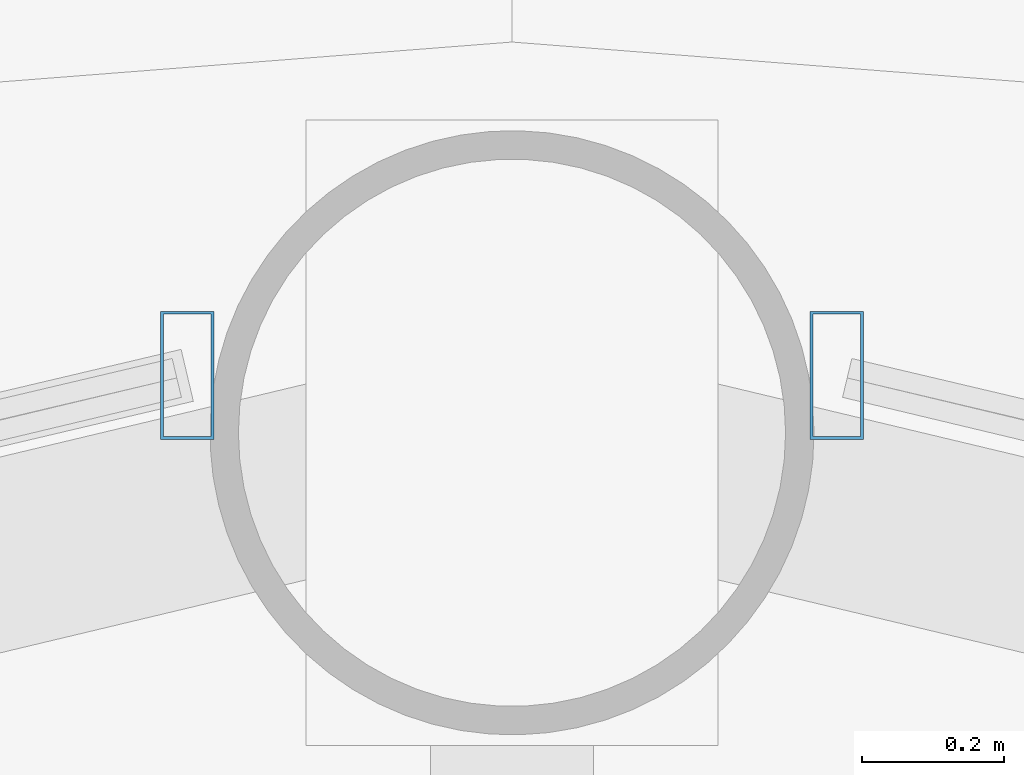
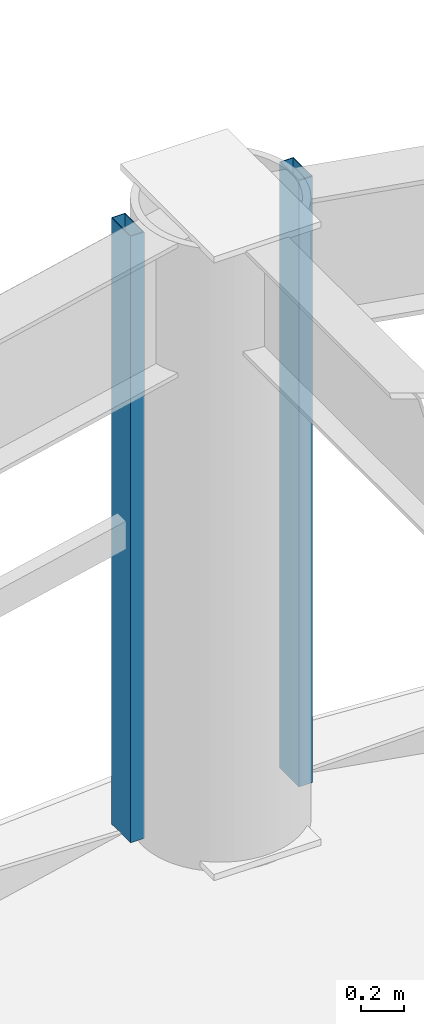
# One storey, part 17 of 30: 2 members, 2 elements without a shape of their own.
"""IFC4 building model written with IfcOpenShell, lengths in metres."""

from ifc_helpers import new_model, si_unit, direction, frame, origin, origin_2d, place, context, subcontext, project, spatial, hollow_rectangle, extrude, material, layer, layer_set, material_profile, profile_set, type_object, element, aggregate, save


model = new_model("IFC4")

# Units and contexts
model_context = context("Model", 3, precision=1e-05, world=origin(), true_north=direction((0.0, 1.0)))
body_context = subcontext(model_context, "Body", "Model", "MODEL_VIEW")
ifc_project = project(units=[si_unit("LENGTHUNIT", "METRE"), si_unit("AREAUNIT", "SQUARE_METRE"), si_unit("VOLUMEUNIT", "CUBIC_METRE"), si_unit("PLANEANGLEUNIT", "RADIAN"), si_unit("MASSUNIT", "GRAM", prefix="KILO")], contexts=[model_context])

# Site, building, storey
site_placement = place(None, origin())
site = spatial("IfcSite", under=ifc_project, at=site_placement, CompositionType="ELEMENT")
building_placement = place(site_placement, origin())
building = spatial("IfcBuilding", under=site, at=building_placement, Name="Vantalir Tower", CompositionType="ELEMENT")
storey_placement = place(building_placement, frame((0.0, 0.0, 83.25)))
storey = spatial("IfcBuildingStorey", under=building, at=storey_placement, Name="L20", CompositionType="ELEMENT", Elevation=83.25)

# Curtain wall, member
ifc_material_1 = material(Name="Champagne-silver PVDF aluminium and double-silver Low-E glass", Category="aluminium")
ifc_layer = layer(ifc_material_1, 0.18994140625)
ifc_layer_set = layer_set([ifc_layer], Name="Champagne-silver PVDF aluminium and double-silver Low-E glass")
curtain_wall_type = type_object("IfcCurtainWallType", Name="CW-DIAMOND-Z1", PredefinedType="USERDEFINED", material=ifc_layer_set)
curtain_wall_1_placement = place(storey_placement, origin())
curtain_wall_1 = element("IfcCurtainWall", 1, at=curtain_wall_1_placement, inside=storey, type_object=curtain_wall_type, Name="L20 Quilted Pyramid-Diamond Curtain Wall S03", ObjectType="UNITISED CURTAIN WALL", PredefinedType="USERDEFINED")
ifc_material_2 = material(Name="Champagne-silver PVDF aluminium 6063-T6", Category="aluminium")
ifc_material_profile = material_profile(ifc_material_2, hollow_rectangle(XDim=0.074951171875, YDim=0.179931640625, WallThickness=0.00390625, at=origin_2d()), Name="Champagne-silver PVDF aluminium 6063-T6")
ifc_profile_set = profile_set([ifc_material_profile], Name="Champagne-silver PVDF aluminium 6063-T6")
member_type = type_object("IfcMemberType", Name="CWM-180x75", PredefinedType="MULLION", material=ifc_profile_set)
member_1_placement = place(storey_placement, frame((31.95703125, 49.575927734375, 0.044921875), z_axis=(0.0, 0.0, 1.0), x_axis=(1.0, 0.0, 0.0)))
member_1 = element("IfcMember", 2, at=member_1_placement, type_object=member_type, Name="CW-L20-S03 Mullion 2", PredefinedType="MULLION", context=body_context, shape_type="SweptSolid", body=[
    extrude(hollow_rectangle(XDim=0.074951171875, YDim=0.179931640625, WallThickness=0.00390625, at=origin_2d()), origin(), (0.0, 0.0, 1.0), 3.47998046875),
])
aggregate(curtain_wall_1, [member_1])

curtain_wall_2_placement = place(storey_placement, origin())
curtain_wall_2 = element("IfcCurtainWall", 3, at=curtain_wall_2_placement, inside=storey, type_object=curtain_wall_type, Name="L20 Quilted Pyramid-Diamond Curtain Wall S04", ObjectType="UNITISED CURTAIN WALL", PredefinedType="USERDEFINED")
member_2_placement = place(storey_placement, frame((31.04296875, 49.575927734375, 0.044921875), z_axis=(0.0, 0.0, 1.0), x_axis=(1.0, 0.0, 0.0)))
member_2 = element("IfcMember", 4, at=member_2_placement, type_object=member_type, Name="CW-L20-S04 Mullion 1", PredefinedType="MULLION", context=body_context, shape_type="SweptSolid", body=[
    extrude(hollow_rectangle(XDim=0.074951171875, YDim=0.179931640625, WallThickness=0.00390625, at=origin_2d()), origin(), (0.0, 0.0, 1.0), 3.47998046875),
])
aggregate(curtain_wall_2, [member_2])

save(model, "model.ifc")
